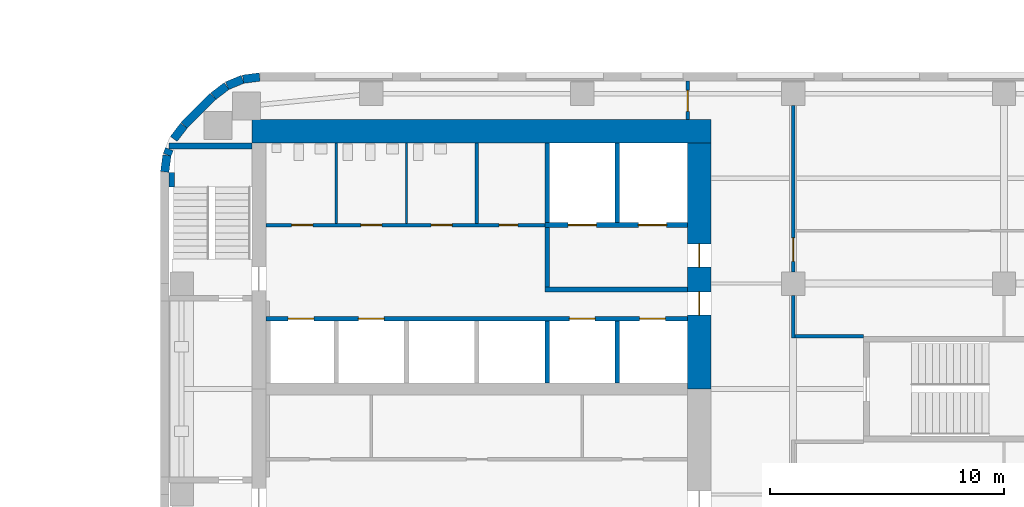
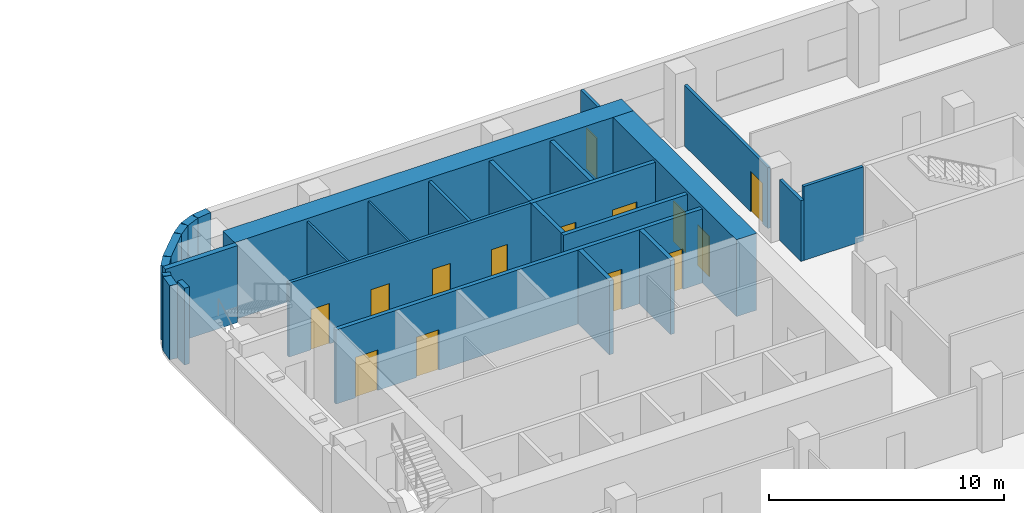
# One storey, part 10 of 15: 27 walls, 14 doors, 14 openings.
"""IFC4 building model written with IfcOpenShell, lengths in metres."""

from ifc_helpers import new_model, si_unit, direction, frame, frame_2d, origin, place, context, subcontext, project, spatial, rectangle, extrude, material, layer, layer_set, type_object, element, fill, save


model = new_model("IFC4")

# Units and contexts
model_context = context("Model", 3, precision=1e-05, world=origin(), true_north=direction((0.0, 1.0)))
body_context = subcontext(model_context, "Body", "Model", "MODEL_VIEW")
ifc_project = project(units=[si_unit("LENGTHUNIT", "METRE"), si_unit("AREAUNIT", "SQUARE_METRE"), si_unit("VOLUMEUNIT", "CUBIC_METRE"), si_unit("PLANEANGLEUNIT", "RADIAN"), si_unit("MASSUNIT", "GRAM", prefix="KILO")], contexts=[model_context])

# Site, building, storey
site_placement = place(None, origin())
site = spatial("IfcSite", under=ifc_project, at=site_placement, CompositionType="ELEMENT")
building_placement = place(site_placement, origin())
building = spatial("IfcBuilding", under=site, at=building_placement, Name="Cinnabar Reach Civic Tower", CompositionType="ELEMENT")
storey_placement = place(building_placement, frame((0.0, 0.0, 67.0)))
storey = spatial("IfcBuildingStorey", under=building, at=storey_placement, Name="L15", CompositionType="ELEMENT", Elevation=67.0)

# Walls
ifc_material_1 = material(Name="Facing brick with insulated backing", Category="masonry")
ifc_layer_1 = layer(ifc_material_1, 0.36)
ifc_layer_set_1 = layer_set([ifc_layer_1], Name="Brick corner wall")
wall_type_1 = type_object("IfcWallType", Name="Brick corner wall", PredefinedType="STANDARD", material=ifc_layer_set_1)
for number, where, z_axis, x_axis, name in (
    (1, (4.2314, 44.817, 0.0), (0.0, 0.0, 1.0), (-0.99144092581, -0.13055608231, 0.0), "Brick corner wall"),
    (2, (3.5027, 44.7181, 0.0), (0.0, 0.0, 1.0), (-0.923871547278, -0.382702709855, 0.0), "Brick corner wall"),
):
    element("IfcWall", number, at=place(storey_placement, frame(where, z_axis=z_axis, x_axis=x_axis)), inside=storey, type_object=wall_type_1, Name=name, PredefinedType="STANDARD", context=body_context, shape_type="SweptSolid", body=[
        extrude(rectangle(XDim=0.7131, YDim=0.36, at=frame_2d((0.3565, 0.0))), origin(), (0.0, 0.0, 1.0), 3.85),
    ])
for number, where, z_axis, x_axis, name in (
    (3, (2.8245, 44.434, 0.0), (0.0, 0.0, 1.0), (-0.793321924995, -0.608802368033, 0.0), "Brick corner wall"),
    (4, (1.0002, 42.7413, 0.0), (0.0, 0.0, 1.0), (-0.608802368033, -0.793321924995, 0.0), "Brick corner wall"),
):
    element("IfcWall", number, at=place(storey_placement, frame(where, z_axis=z_axis, x_axis=x_axis)), inside=storey, type_object=wall_type_1, Name=name, PredefinedType="STANDARD", context=body_context, shape_type="SweptSolid", body=[
        extrude(rectangle(XDim=0.7132, YDim=0.36, at=frame_2d((0.3566, 0.0))), origin(), (0.0, 0.0, 1.0), 3.85),
    ])
wall_1_placement = place(storey_placement, frame((0.3808, 41.736, 0.0), z_axis=(0.0, 0.0, 1.0), x_axis=(-0.382773360986, -0.923842277729, 0.0)))
element("IfcWall", 5, at=wall_1_placement, inside=storey, type_object=wall_type_1, Name="Brick corner wall", PredefinedType="STANDARD", context=body_context, shape_type="SweptSolid", body=[
    extrude(rectangle(XDim=0.2584, YDim=0.36, at=frame_2d((0.1292, 0.0))), origin(), (0.0, 0.0, 1.0), 3.85),
])
wall_2_placement = place(storey_placement, frame((0.2761, 41.4756, 0.0), z_axis=(0.0, 0.0, 1.0), x_axis=(-0.13055608231, -0.99144092581, 0.0)))
element("IfcWall", 6, at=wall_2_placement, inside=storey, type_object=wall_type_1, Name="Brick corner wall", PredefinedType="STANDARD", context=body_context, shape_type="SweptSolid", body=[
    extrude(rectangle(XDim=0.7131, YDim=0.36, at=frame_2d((0.3565, 0.0))), origin(), (0.0, 0.0, 1.0), 3.85),
])
ifc_layer_2 = layer(ifc_material_1, 0.36)
ifc_layer_set_2 = layer_set([ifc_layer_2], Name="Brick pier and spandrel wall")
wall_type_2 = type_object("IfcWallType", Name="Brick pier and spandrel wall", PredefinedType="STANDARD", material=ifc_layer_set_2)
wall_3_placement = place(storey_placement, frame((2.2486, 43.994, 0.0), z_axis=(0.0, 0.0, 1.0), x_axis=(-0.707106781187, -0.707106781187, 0.0)))
element("IfcWall", 7, at=wall_3_placement, inside=storey, type_object=wall_type_2, Name="Brick facade wall", PredefinedType="STANDARD", context=body_context, shape_type="SweptSolid", body=[
    extrude(rectangle(XDim=1.7573, YDim=0.36, at=frame_2d((0.8787, 0.0))), origin(), (0.0, 0.0, 1.0), 3.85),
])
ifc_material_2 = material(Name="Concrete C70", Category="concrete")
ifc_layer_3 = layer(ifc_material_2, 1.0)
ifc_layer_set_3 = layer_set([ifc_layer_3], Name="Core wall 1000 EI 180")
wall_type_3 = type_object("IfcWallType", Name="Core wall 1000 EI 180", PredefinedType="SOLIDWALL", material=ifc_layer_set_3)
wall_4_placement = place(storey_placement, frame((23.5, 42.5, 0.0), z_axis=(0.0, 0.0, 1.0), x_axis=(-1.0, 0.0, 0.0)))
element("IfcWall", 8, at=wall_4_placement, inside=storey, type_object=wall_type_3, Name="Core wall T1 L15 N", PredefinedType="SOLIDWALL", context=body_context, shape_type="SweptSolid", body=[
    extrude(rectangle(XDim=19.6, YDim=1.0, at=frame_2d((9.8, 0.0))), origin(), (0.0, 0.0, 1.0), 4.0),
])

# Wall, openings, doors
wall_5_placement = place(storey_placement, frame((23.0, 31.5, 0.0), z_axis=(0.0, 0.0, 1.0), x_axis=(0.0, 1.0, 0.0)))
wall_5 = element("IfcWall", 9, at=wall_5_placement, inside=storey, type_object=wall_type_3, Name="Core wall T1 L15 E2", PredefinedType="SOLIDWALL", context=body_context, shape_type="SweptSolid", body=[
    extrude(rectangle(XDim=10.5, YDim=1.0, at=frame_2d((5.25, 0.0))), origin(), (0.0, 0.0, 1.0), 4.0),
])
opening_1_placement = place(wall_5_placement, frame((3.15, 0.0, 0.0)))
opening_1 = element("IfcOpeningElement", 10, at=opening_1_placement, cuts=wall_5, Name="Opening D3611", PredefinedType="OPENING", context=body_context, shape_type="SweptSolid", body=[
    extrude(rectangle(XDim=1.0, YDim=2.1, at=frame_2d((0.5, 1.05))), frame((0.0, 0.51, 0.0), z_axis=(0.0, -1.0, 0.0), x_axis=(1.0, 0.0, 0.0)), (0.0, 0.0, 1.0), 1.02),
])
opening_2_placement = place(wall_5_placement, frame((5.2, 0.0, 0.0)))
opening_2 = element("IfcOpeningElement", 11, at=opening_2_placement, cuts=wall_5, Name="Opening D3612", PredefinedType="OPENING", context=body_context, shape_type="SweptSolid", body=[
    extrude(rectangle(XDim=1.0, YDim=2.1, at=frame_2d((0.5, 1.05))), frame((0.0, 0.51, 0.0), z_axis=(0.0, -1.0, 0.0), x_axis=(1.0, 0.0, 0.0)), (0.0, 0.0, 1.0), 1.02),
])
ifc_material_3 = material(Name="Timber door leaf in steel frame", Category="steel")
door_type_1 = type_object("IfcDoorType", Name="Firefighting lobby door 1000 x 2100 T1", OperationType="SINGLE_SWING_LEFT", PredefinedType="DOOR", material=ifc_material_3)
door_1_placement = place(opening_2_placement, origin())
door_1 = element("IfcDoor", 12, at=door_1_placement, inside=storey, type_object=door_type_1, Name="Door D3612", OperationType="SINGLE_SWING_LEFT", OverallHeight=2.1, OverallWidth=1.0, PredefinedType="DOOR", context=body_context, shape_type="SweptSolid", body=[
    extrude(rectangle(XDim=1.0, YDim=2.1, at=frame_2d((0.5, 1.05))), frame((0.0, 0.025, 0.0), z_axis=(0.0, -1.0, 0.0), x_axis=(1.0, 0.0, 0.0)), (0.0, 0.0, 1.0), 0.05),
])
fill(opening_2, door_1)
door_type_2 = type_object("IfcDoorType", Name="Single swing door 1000 x 2100 T1", OperationType="SINGLE_SWING_LEFT", PredefinedType="DOOR", material=ifc_material_3)
door_2_placement = place(opening_1_placement, origin())
door_2 = element("IfcDoor", 13, at=door_2_placement, inside=storey, type_object=door_type_2, Name="Door D3611", OperationType="SINGLE_SWING_RIGHT", OverallHeight=2.1, OverallWidth=1.0, PredefinedType="DOOR", context=body_context, shape_type="SweptSolid", body=[
    extrude(rectangle(XDim=1.0, YDim=2.1, at=frame_2d((0.5, 1.05))), frame((0.0, 0.025, 0.0), z_axis=(0.0, -1.0, 0.0), x_axis=(1.0, 0.0, 0.0)), (0.0, 0.0, 1.0), 0.05),
])
fill(opening_1, door_2)

ifc_material_4 = material(Name="Gypsum board on steel studs, double layer", Category="steel")
ifc_layer_4 = layer(ifc_material_4, 0.15)
ifc_layer_set_4 = layer_set([ifc_layer_4], Name="Corridor wall 150 T1")
wall_type_4 = type_object("IfcWallType", Name="Corridor wall 150 T1", PredefinedType="PARTITIONING", material=ifc_layer_set_4)
wall_6_placement = place(storey_placement, frame((4.5, 38.5, 0.0), z_axis=(0.0, 0.0, 1.0), x_axis=(1.0, 0.0, 0.0)))
wall_6 = element("IfcWall", 14, at=wall_6_placement, inside=storey, type_object=wall_type_4, Name="Corridor wall 28", PredefinedType="PARTITIONING", context=body_context, shape_type="SweptSolid", body=[
    extrude(rectangle(XDim=11.9, YDim=0.15, at=frame_2d((5.95, 0.0))), origin(), (0.0, 0.0, 1.0), 3.85),
])
opening_3_placement = place(wall_6_placement, frame((1.1, 0.0, 0.0)))
opening_3 = element("IfcOpeningElement", 15, at=opening_3_placement, cuts=wall_6, Name="Opening D3617", PredefinedType="OPENING", context=body_context, shape_type="SweptSolid", body=[
    extrude(rectangle(XDim=0.9, YDim=2.1, at=frame_2d((0.45, 1.05))), frame((0.0, 0.085, 0.0), z_axis=(0.0, -1.0, 0.0), x_axis=(1.0, 0.0, 0.0)), (0.0, 0.0, 1.0), 0.17),
])
opening_4_placement = place(wall_6_placement, frame((4.05, 0.0, 0.0)))
opening_4 = element("IfcOpeningElement", 16, at=opening_4_placement, cuts=wall_6, Name="Opening D3618", PredefinedType="OPENING", context=body_context, shape_type="SweptSolid", body=[
    extrude(rectangle(XDim=0.9, YDim=2.1, at=frame_2d((0.45, 1.05))), frame((0.0, 0.085, 0.0), z_axis=(0.0, -1.0, 0.0), x_axis=(1.0, 0.0, 0.0)), (0.0, 0.0, 1.0), 0.17),
])
opening_5_placement = place(wall_6_placement, frame((7.05, 0.0, 0.0)))
opening_5 = element("IfcOpeningElement", 17, at=opening_5_placement, cuts=wall_6, Name="Opening D3619", PredefinedType="OPENING", context=body_context, shape_type="SweptSolid", body=[
    extrude(rectangle(XDim=0.9, YDim=2.1, at=frame_2d((0.45, 1.05))), frame((0.0, 0.085, 0.0), z_axis=(0.0, -1.0, 0.0), x_axis=(1.0, 0.0, 0.0)), (0.0, 0.0, 1.0), 0.17),
])
opening_6_placement = place(wall_6_placement, frame((9.95, 0.0, 0.0)))
opening_6 = element("IfcOpeningElement", 18, at=opening_6_placement, cuts=wall_6, Name="Opening D3620", PredefinedType="OPENING", context=body_context, shape_type="SweptSolid", body=[
    extrude(rectangle(XDim=0.8, YDim=2.1, at=frame_2d((0.4, 1.05))), frame((0.0, 0.085, 0.0), z_axis=(0.0, -1.0, 0.0), x_axis=(1.0, 0.0, 0.0)), (0.0, 0.0, 1.0), 0.17),
])
door_type_3 = type_object("IfcDoorType", Name="Riser access door 800 x 2100 T1", OperationType="SINGLE_SWING_LEFT", PredefinedType="DOOR", material=ifc_material_3)
door_3_placement = place(opening_6_placement, origin())
door_3 = element("IfcDoor", 19, at=door_3_placement, inside=storey, type_object=door_type_3, Name="Door D3620", OperationType="SINGLE_SWING_LEFT", OverallHeight=2.1, OverallWidth=0.8, PredefinedType="DOOR", context=body_context, shape_type="SweptSolid", body=[
    extrude(rectangle(XDim=0.8, YDim=2.1, at=frame_2d((0.4, 1.05))), frame((0.0, 0.025, 0.0), z_axis=(0.0, -1.0, 0.0), x_axis=(1.0, 0.0, 0.0)), (0.0, 0.0, 1.0), 0.05),
])
fill(opening_6, door_3)
door_type_4 = type_object("IfcDoorType", Name="Single swing door 900 x 2100 corridor T1", OperationType="SINGLE_SWING_LEFT", PredefinedType="DOOR", material=ifc_material_3)
door_4_placement = place(opening_3_placement, origin())
door_4 = element("IfcDoor", 20, at=door_4_placement, inside=storey, type_object=door_type_4, Name="Door D3617", OperationType="SINGLE_SWING_RIGHT", OverallHeight=2.1, OverallWidth=0.9, PredefinedType="DOOR", context=body_context, shape_type="SweptSolid", body=[
    extrude(rectangle(XDim=0.9, YDim=2.1, at=frame_2d((0.45, 1.05))), frame((0.0, 0.025, 0.0), z_axis=(0.0, -1.0, 0.0), x_axis=(1.0, 0.0, 0.0)), (0.0, 0.0, 1.0), 0.05),
])
fill(opening_3, door_4)
door_5_placement = place(opening_4_placement, origin())
door_5 = element("IfcDoor", 21, at=door_5_placement, inside=storey, type_object=door_type_4, Name="Door D3618", OperationType="SINGLE_SWING_LEFT", OverallHeight=2.1, OverallWidth=0.9, PredefinedType="DOOR", context=body_context, shape_type="SweptSolid", body=[
    extrude(rectangle(XDim=0.9, YDim=2.1, at=frame_2d((0.45, 1.05))), frame((0.0, 0.025, 0.0), z_axis=(0.0, -1.0, 0.0), x_axis=(1.0, 0.0, 0.0)), (0.0, 0.0, 1.0), 0.05),
])
fill(opening_4, door_5)
door_6_placement = place(opening_5_placement, origin())
door_6 = element("IfcDoor", 22, at=door_6_placement, inside=storey, type_object=door_type_4, Name="Door D3619", OperationType="SINGLE_SWING_LEFT", OverallHeight=2.1, OverallWidth=0.9, PredefinedType="DOOR", context=body_context, shape_type="SweptSolid", body=[
    extrude(rectangle(XDim=0.9, YDim=2.1, at=frame_2d((0.45, 1.05))), frame((0.0, 0.025, 0.0), z_axis=(0.0, -1.0, 0.0), x_axis=(1.0, 0.0, 0.0)), (0.0, 0.0, 1.0), 0.05),
])
fill(opening_5, door_6)

# Wall
wall_7_placement = place(storey_placement, frame((27.0, 33.675, 0.0), z_axis=(0.0, 0.0, 1.0), x_axis=(0.0, 1.0, 0.0)))
element("IfcWall", 23, at=wall_7_placement, inside=storey, type_object=wall_type_4, Name="Corridor wall 29", PredefinedType="PARTITIONING", context=body_context, shape_type="SweptSolid", body=[
    extrude(rectangle(XDim=1.825, YDim=0.15, at=frame_2d((0.9125, 0.0))), origin(), (0.0, 0.0, 1.0), 3.158),
])

# Wall, opening, door
wall_8_placement = place(storey_placement, frame((27.0, 36.5, 0.0), z_axis=(0.0, 0.0, 1.0), x_axis=(0.0, 1.0, 0.0)))
wall_8 = element("IfcWall", 24, at=wall_8_placement, inside=storey, type_object=wall_type_4, Name="Corridor wall 30", PredefinedType="PARTITIONING", context=body_context, shape_type="SweptSolid", body=[
    extrude(rectangle(XDim=7.1, YDim=0.15, at=frame_2d((3.55, 0.0))), origin(), (0.0, 0.0, 1.0), 3.158),
])
opening_7_placement = place(wall_8_placement, frame((0.45, 0.0, 0.0)))
opening_7 = element("IfcOpeningElement", 25, at=opening_7_placement, cuts=wall_8, Name="Opening D3621", PredefinedType="OPENING", context=body_context, shape_type="SweptSolid", body=[
    extrude(rectangle(XDim=1.0, YDim=2.1, at=frame_2d((0.5, 1.05))), frame((0.0, 0.085, 0.0), z_axis=(0.0, -1.0, 0.0), x_axis=(1.0, 0.0, 0.0)), (0.0, 0.0, 1.0), 0.17),
])
door_type_5 = type_object("IfcDoorType", Name="Tenancy entrance door 1000 x 2100 T1", OperationType="SINGLE_SWING_LEFT", PredefinedType="DOOR", material=ifc_material_3)
door_7_placement = place(opening_7_placement, frame((1.0, 0.0, 0.0), z_axis=(0.0, 0.0, 1.0), x_axis=(-1.0, 0.0, 0.0)))
door_7 = element("IfcDoor", 26, at=door_7_placement, inside=storey, type_object=door_type_5, Name="Door D3621", OperationType="SINGLE_SWING_LEFT", OverallHeight=2.1, OverallWidth=1.0, PredefinedType="DOOR", context=body_context, shape_type="SweptSolid", body=[
    extrude(rectangle(XDim=1.0, YDim=2.1, at=frame_2d((0.5, 1.05))), frame((0.0, 0.025, 0.0), z_axis=(0.0, -1.0, 0.0), x_axis=(1.0, 0.0, 0.0)), (0.0, 0.0, 1.0), 0.05),
])
fill(opening_7, door_7)

# Wall
wall_9_placement = place(storey_placement, frame((27.075, 33.75, 0.0), z_axis=(0.0, 0.0, 1.0), x_axis=(1.0, 0.0, 0.0)))
element("IfcWall", 27, at=wall_9_placement, inside=storey, type_object=wall_type_4, Name="Corridor wall 36", PredefinedType="PARTITIONING", context=body_context, shape_type="SweptSolid", body=[
    extrude(rectangle(XDim=2.925, YDim=0.15, at=frame_2d((1.4625, 0.0))), origin(), (0.0, 0.0, 1.0), 3.85),
])

# Wall, opening, door
wall_10_placement = place(storey_placement, frame((22.5, 43.0, 0.0), z_axis=(0.0, 0.0, 1.0), x_axis=(0.0, 1.0, 0.0)))
wall_10 = element("IfcWall", 28, at=wall_10_placement, inside=storey, type_object=wall_type_4, Name="Corridor wall 37", PredefinedType="PARTITIONING", context=body_context, shape_type="SweptSolid", body=[
    extrude(rectangle(XDim=1.64, YDim=0.15, at=frame_2d((0.82, 0.0))), origin(), (0.0, 0.0, 1.0), 3.85),
])
opening_8_placement = place(wall_10_placement, frame((0.35, 0.0, 0.0)))
opening_8 = element("IfcOpeningElement", 29, at=opening_8_placement, cuts=wall_10, Name="Opening D5779", PredefinedType="OPENING", context=body_context, shape_type="SweptSolid", body=[
    extrude(rectangle(XDim=0.9, YDim=2.1, at=frame_2d((0.45, 1.05))), frame((0.0, 0.085, 0.0), z_axis=(0.0, -1.0, 0.0), x_axis=(1.0, 0.0, 0.0)), (0.0, 0.0, 1.0), 0.17),
])
door_8_placement = place(opening_8_placement, origin())
door_8 = element("IfcDoor", 30, at=door_8_placement, inside=storey, type_object=door_type_4, Name="Door D5779", OperationType="SINGLE_SWING_LEFT", OverallHeight=2.1, OverallWidth=0.9, PredefinedType="DOOR", context=body_context, shape_type="SweptSolid", body=[
    extrude(rectangle(XDim=0.9, YDim=2.1, at=frame_2d((0.45, 1.05))), frame((0.0, 0.025, 0.0), z_axis=(0.0, -1.0, 0.0), x_axis=(1.0, 0.0, 0.0)), (0.0, 0.0, 1.0), 0.05),
])
fill(opening_8, door_8)

# Wall, openings, doors
ifc_material_5 = material(Name="Blockwork", Category="masonry")
ifc_layer_5 = layer(ifc_material_5, 0.2)
ifc_layer_set_5 = layer_set([ifc_layer_5], Name="Lift shaft wall 200 T1")
wall_type_5 = type_object("IfcWallType", Name="Lift shaft wall 200 T1", PredefinedType="PARTITIONING", material=ifc_layer_set_5)
wall_11_placement = place(storey_placement, frame((4.5, 34.5, 0.0), z_axis=(0.0, 0.0, 1.0), x_axis=(1.0, 0.0, 0.0)))
wall_11 = element("IfcWall", 31, at=wall_11_placement, inside=storey, type_object=wall_type_5, Name="Lift shaft wall 5", PredefinedType="PARTITIONING", context=body_context, shape_type="SweptSolid", body=[
    extrude(rectangle(XDim=18.0, YDim=0.2, at=frame_2d((9.0, 0.0))), origin(), (0.0, 0.0, 1.0), 3.85),
])
opening_9_placement = place(wall_11_placement, frame((0.95, 0.0, 0.0)))
opening_9 = element("IfcOpeningElement", 32, at=opening_9_placement, cuts=wall_11, Name="Opening D3604", PredefinedType="OPENING", context=body_context, shape_type="SweptSolid", body=[
    extrude(rectangle(XDim=1.1, YDim=2.1, at=frame_2d((0.55, 1.05))), frame((0.0, 0.11, 0.0), z_axis=(0.0, -1.0, 0.0), x_axis=(1.0, 0.0, 0.0)), (0.0, 0.0, 1.0), 0.22),
])
opening_10_placement = place(wall_11_placement, frame((3.95, 0.0, 0.0)))
opening_10 = element("IfcOpeningElement", 33, at=opening_10_placement, cuts=wall_11, Name="Opening D3605", PredefinedType="OPENING", context=body_context, shape_type="SweptSolid", body=[
    extrude(rectangle(XDim=1.1, YDim=2.1, at=frame_2d((0.55, 1.05))), frame((0.0, 0.11, 0.0), z_axis=(0.0, -1.0, 0.0), x_axis=(1.0, 0.0, 0.0)), (0.0, 0.0, 1.0), 0.22),
])
opening_11_placement = place(wall_11_placement, frame((12.95, 0.0, 0.0)))
opening_11 = element("IfcOpeningElement", 34, at=opening_11_placement, cuts=wall_11, Name="Opening D3606", PredefinedType="OPENING", context=body_context, shape_type="SweptSolid", body=[
    extrude(rectangle(XDim=1.1, YDim=2.1, at=frame_2d((0.55, 1.05))), frame((0.0, 0.11, 0.0), z_axis=(0.0, -1.0, 0.0), x_axis=(1.0, 0.0, 0.0)), (0.0, 0.0, 1.0), 0.22),
])
opening_12_placement = place(wall_11_placement, frame((15.95, 0.0, 0.0)))
opening_12 = element("IfcOpeningElement", 35, at=opening_12_placement, cuts=wall_11, Name="Opening D3607", PredefinedType="OPENING", context=body_context, shape_type="SweptSolid", body=[
    extrude(rectangle(XDim=1.1, YDim=2.1, at=frame_2d((0.55, 1.05))), frame((0.0, 0.11, 0.0), z_axis=(0.0, -1.0, 0.0), x_axis=(1.0, 0.0, 0.0)), (0.0, 0.0, 1.0), 0.22),
])
ifc_material_6 = material(Name="Stainless steel sliding door", Category="steel")
door_type_6 = type_object("IfcDoorType", Name="Lift landing door 1100 x 2100 T1", OperationType="SLIDING_TO_LEFT", PredefinedType="DOOR", material=ifc_material_6)
door_9_placement = place(opening_9_placement, origin())
door_9 = element("IfcDoor", 36, at=door_9_placement, inside=storey, type_object=door_type_6, Name="Lift landing door SH1 L15", OperationType="SLIDING_TO_LEFT", OverallHeight=2.1, OverallWidth=1.1, PredefinedType="DOOR", context=body_context, shape_type="SweptSolid", body=[
    extrude(rectangle(XDim=1.1, YDim=2.1, at=frame_2d((0.55, 1.05))), frame((0.0, 0.025, 0.0), z_axis=(0.0, -1.0, 0.0), x_axis=(1.0, 0.0, 0.0)), (0.0, 0.0, 1.0), 0.05),
])
fill(opening_9, door_9)
door_10_placement = place(opening_10_placement, origin())
door_10 = element("IfcDoor", 37, at=door_10_placement, inside=storey, type_object=door_type_6, Name="Lift landing door SH2 L15", OperationType="SLIDING_TO_LEFT", OverallHeight=2.1, OverallWidth=1.1, PredefinedType="DOOR", context=body_context, shape_type="SweptSolid", body=[
    extrude(rectangle(XDim=1.1, YDim=2.1, at=frame_2d((0.55, 1.05))), frame((0.0, 0.025, 0.0), z_axis=(0.0, -1.0, 0.0), x_axis=(1.0, 0.0, 0.0)), (0.0, 0.0, 1.0), 0.05),
])
fill(opening_10, door_10)
door_11_placement = place(opening_11_placement, origin())
door_11 = element("IfcDoor", 38, at=door_11_placement, inside=storey, type_object=door_type_6, Name="Lift landing door SV1 L15", OperationType="SLIDING_TO_LEFT", OverallHeight=2.1, OverallWidth=1.1, PredefinedType="DOOR", context=body_context, shape_type="SweptSolid", body=[
    extrude(rectangle(XDim=1.1, YDim=2.1, at=frame_2d((0.55, 1.05))), frame((0.0, 0.025, 0.0), z_axis=(0.0, -1.0, 0.0), x_axis=(1.0, 0.0, 0.0)), (0.0, 0.0, 1.0), 0.05),
])
fill(opening_11, door_11)
door_12_placement = place(opening_12_placement, origin())
door_12 = element("IfcDoor", 39, at=door_12_placement, inside=storey, type_object=door_type_6, Name="Lift landing door SV2 L15", OperationType="SLIDING_TO_LEFT", OverallHeight=2.1, OverallWidth=1.1, PredefinedType="DOOR", context=body_context, shape_type="SweptSolid", body=[
    extrude(rectangle(XDim=1.1, YDim=2.1, at=frame_2d((0.55, 1.05))), frame((0.0, 0.025, 0.0), z_axis=(0.0, -1.0, 0.0), x_axis=(1.0, 0.0, 0.0)), (0.0, 0.0, 1.0), 0.05),
])
fill(opening_12, door_12)

# Walls
for number, where, z_axis, x_axis, name in (
    (40, (16.5, 38.6, 0.0), (0.0, 0.0, 1.0), (0.0, 1.0, 0.0), "Lift shaft wall 6"),
    (41, (19.5, 38.6, 0.0), (0.0, 0.0, 1.0), (0.0, 1.0, 0.0), "Lift shaft wall 7"),
):
    element("IfcWall", number, at=place(storey_placement, frame(where, z_axis=z_axis, x_axis=x_axis)), inside=storey, type_object=wall_type_5, Name=name, PredefinedType="PARTITIONING", context=body_context, shape_type="SweptSolid", body=[
        extrude(rectangle(XDim=3.4, YDim=0.2, at=frame_2d((1.7, 0.0))), origin(), (0.0, 0.0, 1.0), 3.85),
    ])
for number, where, z_axis, x_axis, name in (
    (42, (16.5, 31.75, 0.0), (0.0, 0.0, 1.0), (0.0, 1.0, 0.0), "Lift shaft wall 16"),
    (43, (19.5, 31.75, 0.0), (0.0, 0.0, 1.0), (0.0, 1.0, 0.0), "Lift shaft wall 18"),
):
    element("IfcWall", number, at=place(storey_placement, frame(where, z_axis=z_axis, x_axis=x_axis)), inside=storey, type_object=wall_type_5, Name=name, PredefinedType="PARTITIONING", context=body_context, shape_type="SweptSolid", body=[
        extrude(rectangle(XDim=2.65, YDim=0.2, at=frame_2d((1.325, 0.0))), origin(), (0.0, 0.0, 1.0), 3.85),
    ])
ifc_material_7 = material(Name="Gypsum board on steel studs", Category="steel")
ifc_layer_6 = layer(ifc_material_7, 0.1)
ifc_layer_set_6 = layer_set([ifc_layer_6], Name="Partition wall 100 T1")
wall_type_6 = type_object("IfcWallType", Name="Partition wall 100 T1", PredefinedType="PARTITIONING", material=ifc_layer_set_6)
for number, where, z_axis, x_axis, name in (
    (44, (7.5, 38.575, 0.0), (0.0, 0.0, 1.0), (0.0, 1.0, 0.0), "Partition wall 48"),
    (45, (10.5, 38.575, 0.0), (0.0, 0.0, 1.0), (0.0, 1.0, 0.0), "Partition wall 49"),
):
    element("IfcWall", number, at=place(storey_placement, frame(where, z_axis=z_axis, x_axis=x_axis)), inside=storey, type_object=wall_type_6, Name=name, PredefinedType="PARTITIONING", context=body_context, shape_type="SweptSolid", body=[
        extrude(rectangle(XDim=3.425, YDim=0.1, at=frame_2d((1.7125, 0.0))), origin(), (0.0, 0.0, 1.0), 3.85),
    ])
ifc_material_8 = material(Name="Concrete C40", Category="concrete")
ifc_layer_7 = layer(ifc_material_8, 0.2)
ifc_layer_set_7 = layer_set([ifc_layer_7], Name="Refuge compartment wall 200 T1")
wall_type_7 = type_object("IfcWallType", Name="Refuge compartment wall 200 T1", PredefinedType="PARTITIONING", material=ifc_layer_set_7)
wall_12_placement = place(storey_placement, frame((16.4, 35.75, 0.0), z_axis=(0.0, 0.0, 1.0), x_axis=(1.0, 0.0, 0.0)))
element("IfcWall", 46, at=wall_12_placement, inside=storey, type_object=wall_type_7, Name="Refuge compartment wall 1", PredefinedType="PARTITIONING", context=body_context, shape_type="SweptSolid", body=[
    extrude(rectangle(XDim=6.1, YDim=0.2, at=frame_2d((3.05, 0.0))), origin(), (0.0, 0.0, 1.0), 3.85),
])

# Wall, openings, doors
wall_13_placement = place(storey_placement, frame((16.4, 38.5, 0.0), z_axis=(0.0, 0.0, 1.0), x_axis=(1.0, 0.0, 0.0)))
wall_13 = element("IfcWall", 47, at=wall_13_placement, inside=storey, type_object=wall_type_7, Name="Refuge compartment wall 2", PredefinedType="PARTITIONING", context=body_context, shape_type="SweptSolid", body=[
    extrude(rectangle(XDim=6.1, YDim=0.2, at=frame_2d((3.05, 0.0))), origin(), (0.0, 0.0, 1.0), 3.85),
])
opening_13_placement = place(wall_13_placement, frame((1.0, 0.0, 0.0)))
opening_13 = element("IfcOpeningElement", 48, at=opening_13_placement, cuts=wall_13, Name="Opening D3608", PredefinedType="OPENING", context=body_context, shape_type="SweptSolid", body=[
    extrude(rectangle(XDim=1.2, YDim=2.1, at=frame_2d((0.6, 1.05))), frame((0.0, 0.11, 0.0), z_axis=(0.0, -1.0, 0.0), x_axis=(1.0, 0.0, 0.0)), (0.0, 0.0, 1.0), 0.22),
])
opening_14_placement = place(wall_13_placement, frame((4.0, 0.0, 0.0)))
opening_14 = element("IfcOpeningElement", 49, at=opening_14_placement, cuts=wall_13, Name="Opening D3609", PredefinedType="OPENING", context=body_context, shape_type="SweptSolid", body=[
    extrude(rectangle(XDim=1.2, YDim=2.1, at=frame_2d((0.6, 1.05))), frame((0.0, 0.11, 0.0), z_axis=(0.0, -1.0, 0.0), x_axis=(1.0, 0.0, 0.0)), (0.0, 0.0, 1.0), 0.22),
])
door_type_7 = type_object("IfcDoorType", Name="Firefighting lift landing door 1200 x 2100 T1", OperationType="SLIDING_TO_LEFT", PredefinedType="DOOR", material=ifc_material_6)
door_13_placement = place(opening_13_placement, origin())
door_13 = element("IfcDoor", 50, at=door_13_placement, inside=storey, type_object=door_type_7, Name="Lift landing door FF1 L15", OperationType="SLIDING_TO_LEFT", OverallHeight=2.1, OverallWidth=1.2, PredefinedType="DOOR", context=body_context, shape_type="SweptSolid", body=[
    extrude(rectangle(XDim=1.2, YDim=2.1, at=frame_2d((0.6, 1.05))), frame((0.0, 0.025, 0.0), z_axis=(0.0, -1.0, 0.0), x_axis=(1.0, 0.0, 0.0)), (0.0, 0.0, 1.0), 0.05),
])
fill(opening_13, door_13)
door_14_placement = place(opening_14_placement, origin())
door_14 = element("IfcDoor", 51, at=door_14_placement, inside=storey, type_object=door_type_7, Name="Lift landing door FF2 L15", OperationType="SLIDING_TO_LEFT", OverallHeight=2.1, OverallWidth=1.2, PredefinedType="DOOR", context=body_context, shape_type="SweptSolid", body=[
    extrude(rectangle(XDim=1.2, YDim=2.1, at=frame_2d((0.6, 1.05))), frame((0.0, 0.025, 0.0), z_axis=(0.0, -1.0, 0.0), x_axis=(1.0, 0.0, 0.0)), (0.0, 0.0, 1.0), 0.05),
])
fill(opening_14, door_14)

# Walls
wall_14_placement = place(storey_placement, frame((16.5, 35.85, 0.0), z_axis=(0.0, 0.0, 1.0), x_axis=(0.0, 1.0, 0.0)))
element("IfcWall", 52, at=wall_14_placement, inside=storey, type_object=wall_type_7, Name="Refuge compartment wall 3", PredefinedType="PARTITIONING", context=body_context, shape_type="SweptSolid", body=[
    extrude(rectangle(XDim=2.55, YDim=0.2, at=frame_2d((1.275, 0.0))), origin(), (0.0, 0.0, 1.0), 3.85),
])
ifc_layer_8 = layer(ifc_material_5, 0.15)
ifc_layer_set_8 = layer_set([ifc_layer_8], Name="Riser wall 150 T1")
wall_type_8 = type_object("IfcWallType", Name="Riser wall 150 T1", PredefinedType="PARTITIONING", material=ifc_layer_set_8)
wall_15_placement = place(storey_placement, frame((13.5, 38.575, 0.0), z_axis=(0.0, 0.0, 1.0), x_axis=(0.0, 1.0, 0.0)))
element("IfcWall", 53, at=wall_15_placement, inside=storey, type_object=wall_type_8, Name="Riser wall 39", PredefinedType="PARTITIONING", context=body_context, shape_type="SweptSolid", body=[
    extrude(rectangle(XDim=3.425, YDim=0.15, at=frame_2d((1.7125, 0.0))), origin(), (0.0, 0.0, 1.0), 3.85),
])
ifc_material_9 = material(Name="Concrete C60", Category="concrete")
ifc_layer_9 = layer(ifc_material_9, 0.25)
ifc_layer_set_9 = layer_set([ifc_layer_9], Name="Stair shaft wall 250 EI 120")
wall_type_9 = type_object("IfcWallType", Name="Stair shaft wall 250 EI 120", PredefinedType="SOLIDWALL", material=ifc_layer_set_9)
wall_16_placement = place(storey_placement, frame((3.9, 41.875, 0.0), z_axis=(0.0, 0.0, 1.0), x_axis=(-1.0, 0.0, 0.0)))
element("IfcWall", 54, at=wall_16_placement, inside=storey, type_object=wall_type_9, Name="Stair shaft wall T1-S2 L15", PredefinedType="SOLIDWALL", context=body_context, shape_type="SweptSolid", body=[
    extrude(rectangle(XDim=3.54, YDim=0.25, at=frame_2d((1.77, 0.0))), origin(), (0.0, 0.0, 1.0), 4.0),
])
ifc_material_10 = material(Name="Concrete C40/50", Category="concrete")
ifc_layer_10 = layer(ifc_material_10, 0.24)
ifc_layer_set_10 = layer_set([ifc_layer_10], Name="T1 landing bearer wall 240")
wall_type_10 = type_object("IfcWallType", Name="T1 landing bearer wall 240", PredefinedType="STANDARD", material=ifc_layer_set_10)
wall_17_placement = place(storey_placement, frame((0.48, 40.13, 0.0), z_axis=(0.0, 0.0, 1.0), x_axis=(0.0, 1.0, 0.0)))
element("IfcWall", 55, at=wall_17_placement, inside=storey, type_object=wall_type_10, Name="T1-S2 landing bearer wall", PredefinedType="STANDARD", context=body_context, shape_type="SweptSolid", body=[
    extrude(rectangle(XDim=0.6151, YDim=0.24, at=frame_2d((0.3075, 0.0))), origin(), (0.0, 0.0, 1.0), 4.0),
])

save(model, "model.ifc")
